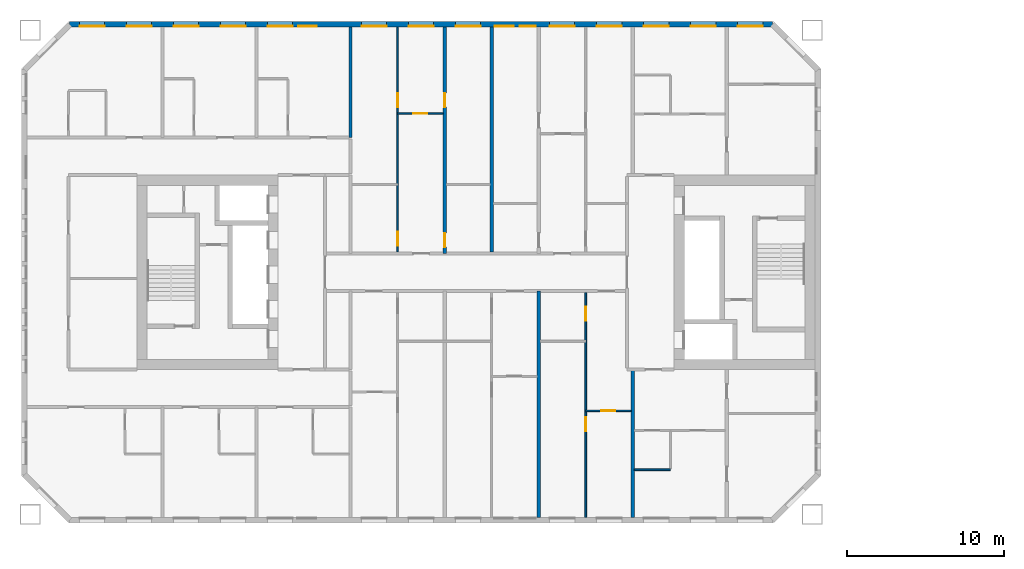
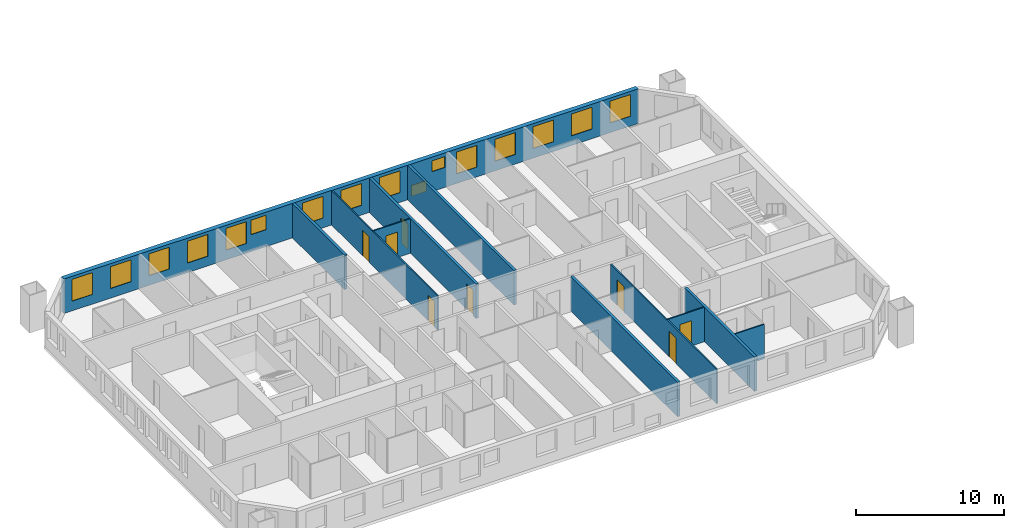
# One storey, part 6 of 17: 16 windows, 11 walls, 8 doors, 24 openings.
"""IFC4 building model written with IfcOpenShell, lengths in metres."""

from ifc_helpers import new_model, si_unit, direction, frame, frame_2d, origin, place, context, subcontext, project, spatial, rectangle, extrude, material, layer, layer_set, type_object, element, fill, save


model = new_model("IFC4")

# Units and contexts
model_context = context("Model", 3, precision=1e-05, world=origin(), true_north=direction((0.0, 1.0)))
body_context = subcontext(model_context, "Body", "Model", "MODEL_VIEW")
ifc_project = project(units=[si_unit("LENGTHUNIT", "METRE"), si_unit("AREAUNIT", "SQUARE_METRE"), si_unit("VOLUMEUNIT", "CUBIC_METRE"), si_unit("PLANEANGLEUNIT", "RADIAN"), si_unit("MASSUNIT", "GRAM", prefix="KILO")], contexts=[model_context])

# Site, building, storey
site_placement = place(None, origin())
site = spatial("IfcSite", under=ifc_project, at=site_placement, CompositionType="ELEMENT")
building_placement = place(site_placement, origin())
building = spatial("IfcBuilding", under=site, at=building_placement, Name="Tuart Gate Housing", CompositionType="ELEMENT")
storey_placement = place(building_placement, frame((0.0, 0.0, 108.800048828125)))
storey = spatial("IfcBuildingStorey", under=building, at=storey_placement, Name="L30", CompositionType="ELEMENT", Elevation=108.800048828125)

# Wall, openings, windows
ifc_material_1 = material(Name="Brick", Category="masonry")
ifc_layer_1 = layer(ifc_material_1, 0.360107421875)
ifc_layer_set_1 = layer_set([ifc_layer_1], Name="Brick pier and spandrel wall 360")
wall_type_1 = type_object("IfcWallType", Name="Brick pier and spandrel wall 360", PredefinedType="STANDARD", material=ifc_layer_set_1)
wall_1_placement = place(storey_placement, frame((72.92529296875, 85.820068359375, 0.0), z_axis=(0.0, 0.0, 1.0), x_axis=(-1.0, 0.0, 0.0)))
wall_1 = element("IfcWall", 1, at=wall_1_placement, inside=storey, type_object=wall_type_1, Name="External wall A-N L30", PredefinedType="STANDARD", context=body_context, shape_type="SweptSolid", body=[
    extrude(rectangle(XDim=44.850830078125, YDim=0.360107421875, at=frame_2d((22.42529296875, 0.0))), origin(), (0.0, 0.0, 1.0), 2.849853515625),
])
opening_1_placement = place(wall_1_placement, frame((0.62548828125, 0.0, 0.800048828125)))
opening_1 = element("IfcOpeningElement", 2, at=opening_1_placement, cuts=wall_1, Name="Opening W1", PredefinedType="OPENING", context=body_context, shape_type="SweptSolid", body=[
    extrude(rectangle(XDim=1.60009765625, YDim=1.800048828125, at=frame_2d((0.800048828125, 0.89990234375))), frame((0.0, 0.18994140625, 0.0), z_axis=(0.0, -1.0, 0.0), x_axis=(1.0, 0.0, 0.0)), (0.0, 0.0, 1.0), 0.380126953125),
])
opening_2_placement = place(wall_1_placement, frame((3.62548828125, 0.0, 0.800048828125)))
opening_2 = element("IfcOpeningElement", 3, at=opening_2_placement, cuts=wall_1, Name="Opening W1", PredefinedType="OPENING", context=body_context, shape_type="SweptSolid", body=[
    extrude(rectangle(XDim=1.60009765625, YDim=1.800048828125, at=frame_2d((0.800048828125, 0.89990234375))), frame((0.0, 0.18994140625, 0.0), z_axis=(0.0, -1.0, 0.0), x_axis=(1.0, 0.0, 0.0)), (0.0, 0.0, 1.0), 0.380126953125),
])
opening_3_placement = place(wall_1_placement, frame((6.62548828125, 0.0, 0.800048828125)))
opening_3 = element("IfcOpeningElement", 4, at=opening_3_placement, cuts=wall_1, Name="Opening W1", PredefinedType="OPENING", context=body_context, shape_type="SweptSolid", body=[
    extrude(rectangle(XDim=1.60009765625, YDim=1.800048828125, at=frame_2d((0.800048828125, 0.89990234375))), frame((0.0, 0.18994140625, 0.0), z_axis=(0.0, -1.0, 0.0), x_axis=(1.0, 0.0, 0.0)), (0.0, 0.0, 1.0), 0.380126953125),
])
opening_4_placement = place(wall_1_placement, frame((9.62548828125, 0.0, 0.800048828125)))
opening_4 = element("IfcOpeningElement", 5, at=opening_4_placement, cuts=wall_1, Name="Opening W1", PredefinedType="OPENING", context=body_context, shape_type="SweptSolid", body=[
    extrude(rectangle(XDim=1.60009765625, YDim=1.800048828125, at=frame_2d((0.800048828125, 0.89990234375))), frame((0.0, 0.18994140625, 0.0), z_axis=(0.0, -1.0, 0.0), x_axis=(1.0, 0.0, 0.0)), (0.0, 0.0, 1.0), 0.380126953125),
])
opening_5_placement = place(wall_1_placement, frame((12.62548828125, 0.0, 0.800048828125)))
opening_5 = element("IfcOpeningElement", 6, at=opening_5_placement, cuts=wall_1, Name="Opening W1", PredefinedType="OPENING", context=body_context, shape_type="SweptSolid", body=[
    extrude(rectangle(XDim=1.60009765625, YDim=1.800048828125, at=frame_2d((0.800048828125, 0.89990234375))), frame((0.0, 0.18994140625, 0.0), z_axis=(0.0, -1.0, 0.0), x_axis=(1.0, 0.0, 0.0)), (0.0, 0.0, 1.0), 0.380126953125),
])
opening_6_placement = place(wall_1_placement, frame((15.12548828125, 0.0, 1.64990234375)))
opening_6 = element("IfcOpeningElement", 7, at=opening_6_placement, cuts=wall_1, Name="Opening W1U", PredefinedType="OPENING", context=body_context, shape_type="SweptSolid", body=[
    extrude(rectangle(XDim=1.0, YDim=0.89990234375, at=frame_2d((0.5, 0.449951171875))), frame((0.0, 0.18994140625, 0.0), z_axis=(0.0, -1.0, 0.0), x_axis=(1.0, 0.0, 0.0)), (0.0, 0.0, 1.0), 0.380126953125),
])
opening_7_placement = place(wall_1_placement, frame((18.62548828125, 0.0, 0.800048828125)))
opening_7 = element("IfcOpeningElement", 8, at=opening_7_placement, cuts=wall_1, Name="Opening W1", PredefinedType="OPENING", context=body_context, shape_type="SweptSolid", body=[
    extrude(rectangle(XDim=1.60009765625, YDim=1.800048828125, at=frame_2d((0.800048828125, 0.89990234375))), frame((0.0, 0.18994140625, 0.0), z_axis=(0.0, -1.0, 0.0), x_axis=(1.0, 0.0, 0.0)), (0.0, 0.0, 1.0), 0.380126953125),
])
opening_8_placement = place(wall_1_placement, frame((21.62548828125, 0.0, 0.800048828125)))
opening_8 = element("IfcOpeningElement", 9, at=opening_8_placement, cuts=wall_1, Name="Opening W1", PredefinedType="OPENING", context=body_context, shape_type="SweptSolid", body=[
    extrude(rectangle(XDim=1.60009765625, YDim=1.800048828125, at=frame_2d((0.800048828125, 0.89990234375))), frame((0.0, 0.18994140625, 0.0), z_axis=(0.0, -1.0, 0.0), x_axis=(1.0, 0.0, 0.0)), (0.0, 0.0, 1.0), 0.380126953125),
])
opening_9_placement = place(wall_1_placement, frame((24.62548828125, 0.0, 0.800048828125)))
opening_9 = element("IfcOpeningElement", 10, at=opening_9_placement, cuts=wall_1, Name="Opening W1", PredefinedType="OPENING", context=body_context, shape_type="SweptSolid", body=[
    extrude(rectangle(XDim=1.60009765625, YDim=1.800048828125, at=frame_2d((0.800048828125, 0.89990234375))), frame((0.0, 0.18994140625, 0.0), z_axis=(0.0, -1.0, 0.0), x_axis=(1.0, 0.0, 0.0)), (0.0, 0.0, 1.0), 0.380126953125),
])
opening_10_placement = place(wall_1_placement, frame((29.075439453125, 0.0, 1.39990234375)))
opening_10 = element("IfcOpeningElement", 11, at=opening_10_placement, cuts=wall_1, Name="Opening W1N", PredefinedType="OPENING", context=body_context, shape_type="SweptSolid", body=[
    extrude(rectangle(XDim=1.199951171875, YDim=1.199951171875, at=frame_2d((0.60009765625, 0.60009765625))), frame((0.0, 0.18994140625, 0.0), z_axis=(0.0, -1.0, 0.0), x_axis=(1.0, 0.0, 0.0)), (0.0, 0.0, 1.0), 0.380126953125),
])
opening_11_placement = place(wall_1_placement, frame((30.62548828125, 0.0, 0.800048828125)))
opening_11 = element("IfcOpeningElement", 12, at=opening_11_placement, cuts=wall_1, Name="Opening W1", PredefinedType="OPENING", context=body_context, shape_type="SweptSolid", body=[
    extrude(rectangle(XDim=1.60009765625, YDim=1.800048828125, at=frame_2d((0.800048828125, 0.89990234375))), frame((0.0, 0.18994140625, 0.0), z_axis=(0.0, -1.0, 0.0), x_axis=(1.0, 0.0, 0.0)), (0.0, 0.0, 1.0), 0.380126953125),
])
opening_12_placement = place(wall_1_placement, frame((33.62548828125, 0.0, 0.800048828125)))
opening_12 = element("IfcOpeningElement", 13, at=opening_12_placement, cuts=wall_1, Name="Opening W1", PredefinedType="OPENING", context=body_context, shape_type="SweptSolid", body=[
    extrude(rectangle(XDim=1.60009765625, YDim=1.800048828125, at=frame_2d((0.800048828125, 0.89990234375))), frame((0.0, 0.18994140625, 0.0), z_axis=(0.0, -1.0, 0.0), x_axis=(1.0, 0.0, 0.0)), (0.0, 0.0, 1.0), 0.380126953125),
])
opening_13_placement = place(wall_1_placement, frame((36.62548828125, 0.0, 0.800048828125)))
opening_13 = element("IfcOpeningElement", 14, at=opening_13_placement, cuts=wall_1, Name="Opening W1", PredefinedType="OPENING", context=body_context, shape_type="SweptSolid", body=[
    extrude(rectangle(XDim=1.60009765625, YDim=1.800048828125, at=frame_2d((0.800048828125, 0.89990234375))), frame((0.0, 0.18994140625, 0.0), z_axis=(0.0, -1.0, 0.0), x_axis=(1.0, 0.0, 0.0)), (0.0, 0.0, 1.0), 0.380126953125),
])
opening_14_placement = place(wall_1_placement, frame((39.62548828125, 0.0, 0.800048828125)))
opening_14 = element("IfcOpeningElement", 15, at=opening_14_placement, cuts=wall_1, Name="Opening W1", PredefinedType="OPENING", context=body_context, shape_type="SweptSolid", body=[
    extrude(rectangle(XDim=1.60009765625, YDim=1.800048828125, at=frame_2d((0.800048828125, 0.89990234375))), frame((0.0, 0.18994140625, 0.0), z_axis=(0.0, -1.0, 0.0), x_axis=(1.0, 0.0, 0.0)), (0.0, 0.0, 1.0), 0.380126953125),
])
opening_15_placement = place(wall_1_placement, frame((42.62548828125, 0.0, 0.800048828125)))
opening_15 = element("IfcOpeningElement", 16, at=opening_15_placement, cuts=wall_1, Name="Opening W1", PredefinedType="OPENING", context=body_context, shape_type="SweptSolid", body=[
    extrude(rectangle(XDim=1.60009765625, YDim=1.800048828125, at=frame_2d((0.800048828125, 0.89990234375))), frame((0.0, 0.18994140625, 0.0), z_axis=(0.0, -1.0, 0.0), x_axis=(1.0, 0.0, 0.0)), (0.0, 0.0, 1.0), 0.380126953125),
])
opening_16_placement = place(wall_1_placement, frame((16.525390625, 0.0, 0.14990234375)))
opening_16 = element("IfcOpeningElement", 17, at=opening_16_placement, cuts=wall_1, Name="Opening W1T", PredefinedType="OPENING", context=body_context, shape_type="SweptSolid", body=[
    extrude(rectangle(XDim=1.199951171875, YDim=0.89990234375, at=frame_2d((0.60009765625, 0.449951171875))), frame((0.0, 0.18994140625, 0.0), z_axis=(0.0, -1.0, 0.0), x_axis=(1.0, 0.0, 0.0)), (0.0, 0.0, 1.0), 0.380126953125),
])
ifc_material_2 = material(Name="Aluminium frame with clear glass", Category="aluminium")
window_type_1 = type_object("IfcWindowType", Name="Punched window 1000 x 900", PartitioningType="SINGLE_PANEL", PredefinedType="WINDOW", material=ifc_material_2)
window_1_placement = place(opening_6_placement, origin())
window_1 = element("IfcWindow", 18, at=window_1_placement, inside=storey, type_object=window_type_1, Name="Window W1U", OverallHeight=0.89990234375, OverallWidth=1.0, PartitioningType="SINGLE_PANEL", PredefinedType="WINDOW", context=body_context, shape_type="SweptSolid", body=[
    extrude(rectangle(XDim=1.0, YDim=0.89990234375, at=frame_2d((0.5, 0.449951171875))), frame((0.0, 0.150146484375, 0.0), z_axis=(0.0, -1.0, 0.0), x_axis=(1.0, 0.0, 0.0)), (0.0, 0.0, 1.0), 0.06005859375),
])
fill(opening_6, window_1)
ifc_material_3 = material(Name="Aluminium frame with clear glass", Category="aluminium")
window_type_2 = type_object("IfcWindowType", Name="Punched window 1200 x 1200", PartitioningType="SINGLE_PANEL", PredefinedType="WINDOW", material=ifc_material_3)
window_2_placement = place(opening_10_placement, origin())
window_2 = element("IfcWindow", 19, at=window_2_placement, inside=storey, type_object=window_type_2, Name="Window W1N", OverallHeight=1.199951171875, OverallWidth=1.199951171875, PartitioningType="SINGLE_PANEL", PredefinedType="WINDOW", context=body_context, shape_type="SweptSolid", body=[
    extrude(rectangle(XDim=1.199951171875, YDim=1.199951171875, at=frame_2d((0.60009765625, 0.60009765625))), frame((0.0, 0.150146484375, 0.0), z_axis=(0.0, -1.0, 0.0), x_axis=(1.0, 0.0, 0.0)), (0.0, 0.0, 1.0), 0.06005859375),
])
fill(opening_10, window_2)
ifc_material_4 = material(Name="Aluminium frame with clear glass", Category="aluminium")
window_type_3 = type_object("IfcWindowType", Name="Punched window 1200 x 900", PartitioningType="SINGLE_PANEL", PredefinedType="WINDOW", material=ifc_material_4)
window_3_placement = place(opening_16_placement, origin())
window_3 = element("IfcWindow", 20, at=window_3_placement, inside=storey, type_object=window_type_3, Name="Window W1T", OverallHeight=0.89990234375, OverallWidth=1.199951171875, PartitioningType="SINGLE_PANEL", PredefinedType="WINDOW", context=body_context, shape_type="SweptSolid", body=[
    extrude(rectangle(XDim=1.199951171875, YDim=0.89990234375, at=frame_2d((0.60009765625, 0.449951171875))), frame((0.0, 0.150146484375, 0.0), z_axis=(0.0, -1.0, 0.0), x_axis=(1.0, 0.0, 0.0)), (0.0, 0.0, 1.0), 0.06005859375),
])
fill(opening_16, window_3)
ifc_material_5 = material(Name="Aluminium frame with clear glass", Category="aluminium")
window_type_4 = type_object("IfcWindowType", Name="Punched window 1600 x 1800", PartitioningType="SINGLE_PANEL", PredefinedType="WINDOW", material=ifc_material_5)
window_4_placement = place(opening_1_placement, origin())
window_4 = element("IfcWindow", 21, at=window_4_placement, inside=storey, type_object=window_type_4, Name="Window W1", OverallHeight=1.800048828125, OverallWidth=1.60009765625, PartitioningType="SINGLE_PANEL", PredefinedType="WINDOW", context=body_context, shape_type="SweptSolid", body=[
    extrude(rectangle(XDim=1.60009765625, YDim=1.800048828125, at=frame_2d((0.800048828125, 0.89990234375))), frame((0.0, 0.150146484375, 0.0), z_axis=(0.0, -1.0, 0.0), x_axis=(1.0, 0.0, 0.0)), (0.0, 0.0, 1.0), 0.06005859375),
])
fill(opening_1, window_4)
window_5_placement = place(opening_2_placement, origin())
window_5 = element("IfcWindow", 22, at=window_5_placement, inside=storey, type_object=window_type_4, Name="Window W1", OverallHeight=1.800048828125, OverallWidth=1.60009765625, PartitioningType="SINGLE_PANEL", PredefinedType="WINDOW", context=body_context, shape_type="SweptSolid", body=[
    extrude(rectangle(XDim=1.60009765625, YDim=1.800048828125, at=frame_2d((0.800048828125, 0.89990234375))), frame((0.0, 0.150146484375, 0.0), z_axis=(0.0, -1.0, 0.0), x_axis=(1.0, 0.0, 0.0)), (0.0, 0.0, 1.0), 0.06005859375),
])
fill(opening_2, window_5)
window_6_placement = place(opening_3_placement, origin())
window_6 = element("IfcWindow", 23, at=window_6_placement, inside=storey, type_object=window_type_4, Name="Window W1", OverallHeight=1.800048828125, OverallWidth=1.60009765625, PartitioningType="SINGLE_PANEL", PredefinedType="WINDOW", context=body_context, shape_type="SweptSolid", body=[
    extrude(rectangle(XDim=1.60009765625, YDim=1.800048828125, at=frame_2d((0.800048828125, 0.89990234375))), frame((0.0, 0.150146484375, 0.0), z_axis=(0.0, -1.0, 0.0), x_axis=(1.0, 0.0, 0.0)), (0.0, 0.0, 1.0), 0.06005859375),
])
fill(opening_3, window_6)
window_7_placement = place(opening_4_placement, origin())
window_7 = element("IfcWindow", 24, at=window_7_placement, inside=storey, type_object=window_type_4, Name="Window W1", OverallHeight=1.800048828125, OverallWidth=1.60009765625, PartitioningType="SINGLE_PANEL", PredefinedType="WINDOW", context=body_context, shape_type="SweptSolid", body=[
    extrude(rectangle(XDim=1.60009765625, YDim=1.800048828125, at=frame_2d((0.800048828125, 0.89990234375))), frame((0.0, 0.150146484375, 0.0), z_axis=(0.0, -1.0, 0.0), x_axis=(1.0, 0.0, 0.0)), (0.0, 0.0, 1.0), 0.06005859375),
])
fill(opening_4, window_7)
window_8_placement = place(opening_5_placement, origin())
window_8 = element("IfcWindow", 25, at=window_8_placement, inside=storey, type_object=window_type_4, Name="Window W1", OverallHeight=1.800048828125, OverallWidth=1.60009765625, PartitioningType="SINGLE_PANEL", PredefinedType="WINDOW", context=body_context, shape_type="SweptSolid", body=[
    extrude(rectangle(XDim=1.60009765625, YDim=1.800048828125, at=frame_2d((0.800048828125, 0.89990234375))), frame((0.0, 0.150146484375, 0.0), z_axis=(0.0, -1.0, 0.0), x_axis=(1.0, 0.0, 0.0)), (0.0, 0.0, 1.0), 0.06005859375),
])
fill(opening_5, window_8)
window_9_placement = place(opening_7_placement, origin())
window_9 = element("IfcWindow", 26, at=window_9_placement, inside=storey, type_object=window_type_4, Name="Window W1", OverallHeight=1.800048828125, OverallWidth=1.60009765625, PartitioningType="SINGLE_PANEL", PredefinedType="WINDOW", context=body_context, shape_type="SweptSolid", body=[
    extrude(rectangle(XDim=1.60009765625, YDim=1.800048828125, at=frame_2d((0.800048828125, 0.89990234375))), frame((0.0, 0.150146484375, 0.0), z_axis=(0.0, -1.0, 0.0), x_axis=(1.0, 0.0, 0.0)), (0.0, 0.0, 1.0), 0.06005859375),
])
fill(opening_7, window_9)
window_10_placement = place(opening_8_placement, origin())
window_10 = element("IfcWindow", 27, at=window_10_placement, inside=storey, type_object=window_type_4, Name="Window W1", OverallHeight=1.800048828125, OverallWidth=1.60009765625, PartitioningType="SINGLE_PANEL", PredefinedType="WINDOW", context=body_context, shape_type="SweptSolid", body=[
    extrude(rectangle(XDim=1.60009765625, YDim=1.800048828125, at=frame_2d((0.800048828125, 0.89990234375))), frame((0.0, 0.150146484375, 0.0), z_axis=(0.0, -1.0, 0.0), x_axis=(1.0, 0.0, 0.0)), (0.0, 0.0, 1.0), 0.06005859375),
])
fill(opening_8, window_10)
window_11_placement = place(opening_9_placement, origin())
window_11 = element("IfcWindow", 28, at=window_11_placement, inside=storey, type_object=window_type_4, Name="Window W1", OverallHeight=1.800048828125, OverallWidth=1.60009765625, PartitioningType="SINGLE_PANEL", PredefinedType="WINDOW", context=body_context, shape_type="SweptSolid", body=[
    extrude(rectangle(XDim=1.60009765625, YDim=1.800048828125, at=frame_2d((0.800048828125, 0.89990234375))), frame((0.0, 0.150146484375, 0.0), z_axis=(0.0, -1.0, 0.0), x_axis=(1.0, 0.0, 0.0)), (0.0, 0.0, 1.0), 0.06005859375),
])
fill(opening_9, window_11)
window_12_placement = place(opening_11_placement, origin())
window_12 = element("IfcWindow", 29, at=window_12_placement, inside=storey, type_object=window_type_4, Name="Window W1", OverallHeight=1.800048828125, OverallWidth=1.60009765625, PartitioningType="SINGLE_PANEL", PredefinedType="WINDOW", context=body_context, shape_type="SweptSolid", body=[
    extrude(rectangle(XDim=1.60009765625, YDim=1.800048828125, at=frame_2d((0.800048828125, 0.89990234375))), frame((0.0, 0.150146484375, 0.0), z_axis=(0.0, -1.0, 0.0), x_axis=(1.0, 0.0, 0.0)), (0.0, 0.0, 1.0), 0.06005859375),
])
fill(opening_11, window_12)
window_13_placement = place(opening_12_placement, origin())
window_13 = element("IfcWindow", 30, at=window_13_placement, inside=storey, type_object=window_type_4, Name="Window W1", OverallHeight=1.800048828125, OverallWidth=1.60009765625, PartitioningType="SINGLE_PANEL", PredefinedType="WINDOW", context=body_context, shape_type="SweptSolid", body=[
    extrude(rectangle(XDim=1.60009765625, YDim=1.800048828125, at=frame_2d((0.800048828125, 0.89990234375))), frame((0.0, 0.150146484375, 0.0), z_axis=(0.0, -1.0, 0.0), x_axis=(1.0, 0.0, 0.0)), (0.0, 0.0, 1.0), 0.06005859375),
])
fill(opening_12, window_13)
window_14_placement = place(opening_13_placement, origin())
window_14 = element("IfcWindow", 31, at=window_14_placement, inside=storey, type_object=window_type_4, Name="Window W1", OverallHeight=1.800048828125, OverallWidth=1.60009765625, PartitioningType="SINGLE_PANEL", PredefinedType="WINDOW", context=body_context, shape_type="SweptSolid", body=[
    extrude(rectangle(XDim=1.60009765625, YDim=1.800048828125, at=frame_2d((0.800048828125, 0.89990234375))), frame((0.0, 0.150146484375, 0.0), z_axis=(0.0, -1.0, 0.0), x_axis=(1.0, 0.0, 0.0)), (0.0, 0.0, 1.0), 0.06005859375),
])
fill(opening_13, window_14)
window_15_placement = place(opening_14_placement, origin())
window_15 = element("IfcWindow", 32, at=window_15_placement, inside=storey, type_object=window_type_4, Name="Window W1", OverallHeight=1.800048828125, OverallWidth=1.60009765625, PartitioningType="SINGLE_PANEL", PredefinedType="WINDOW", context=body_context, shape_type="SweptSolid", body=[
    extrude(rectangle(XDim=1.60009765625, YDim=1.800048828125, at=frame_2d((0.800048828125, 0.89990234375))), frame((0.0, 0.150146484375, 0.0), z_axis=(0.0, -1.0, 0.0), x_axis=(1.0, 0.0, 0.0)), (0.0, 0.0, 1.0), 0.06005859375),
])
fill(opening_14, window_15)
window_16_placement = place(opening_15_placement, origin())
window_16 = element("IfcWindow", 33, at=window_16_placement, inside=storey, type_object=window_type_4, Name="Window W1", OverallHeight=1.800048828125, OverallWidth=1.60009765625, PartitioningType="SINGLE_PANEL", PredefinedType="WINDOW", context=body_context, shape_type="SweptSolid", body=[
    extrude(rectangle(XDim=1.60009765625, YDim=1.800048828125, at=frame_2d((0.800048828125, 0.89990234375))), frame((0.0, 0.150146484375, 0.0), z_axis=(0.0, -1.0, 0.0), x_axis=(1.0, 0.0, 0.0)), (0.0, 0.0, 1.0), 0.06005859375),
])
fill(opening_15, window_16)

# Wall
ifc_material_6 = material(Name="Gypsum board on steel studs", Category="steel")
ifc_layer_2 = layer(ifc_material_6, 0.10009765625)
ifc_layer_set_2 = layer_set([ifc_layer_2], Name="Partition 100")
wall_type_2 = type_object("IfcWallType", Name="Partition 100", PredefinedType="PARTITIONING", material=ifc_layer_set_2)
wall_2_placement = place(storey_placement, frame((64.10009765625, 57.39990234375, 0.0), z_axis=(0.0, 0.0, 1.0), x_axis=(1.0, 0.0, 0.0)))
element("IfcWall", 34, at=wall_2_placement, inside=storey, type_object=wall_type_2, Name="Partition 100", PredefinedType="PARTITIONING", context=body_context, shape_type="SweptSolid", body=[
    extrude(rectangle(XDim=2.2998046875, YDim=0.10009765625, at=frame_2d((1.14990234375, 0.0))), origin(), (0.0, 0.0, 1.0), 2.849853515625),
])

# Wall, opening, door
wall_3_placement = place(storey_placement, frame((61.0, 61.159912109375, 0.0), z_axis=(0.0, 0.0, 1.0), x_axis=(1.0, 0.0, 0.0)))
wall_3 = element("IfcWall", 35, at=wall_3_placement, inside=storey, type_object=wall_type_2, Name="Partition 100", PredefinedType="PARTITIONING", context=body_context, shape_type="SweptSolid", body=[
    extrude(rectangle(XDim=2.89990234375, YDim=0.10009765625, at=frame_2d((1.449951171875, 0.0))), origin(), (0.0, 0.0, 1.0), 2.849853515625),
])
opening_17_placement = place(wall_3_placement, frame((1.0, 0.0, 0.0)))
opening_17 = element("IfcOpeningElement", 36, at=opening_17_placement, cuts=wall_3, Name="Opening D1229", PredefinedType="OPENING", context=body_context, shape_type="SweptSolid", body=[
    extrude(rectangle(XDim=0.89990234375, YDim=2.10009765625, at=frame_2d((0.449951171875, 1.050048828125))), frame((0.0, 0.06005859375, 0.0), z_axis=(0.0, -1.0, 0.0), x_axis=(1.0, 0.0, 0.0)), (0.0, 0.0, 1.0), 0.1201171875),
])
ifc_material_7 = material(Name="Timber door leaf in steel frame", Category="steel")
door_type_1 = type_object("IfcDoorType", Name="Internal door 900", OperationType="SINGLE_SWING_LEFT", PredefinedType="DOOR", material=ifc_material_7)
door_1_placement = place(opening_17_placement, origin())
door_1 = element("IfcDoor", 37, at=door_1_placement, inside=storey, type_object=door_type_1, Name="Internal door", OperationType="SINGLE_SWING_LEFT", OverallHeight=2.10009765625, OverallWidth=0.89990234375, PredefinedType="DOOR", context=body_context, shape_type="SweptSolid", body=[
    extrude(rectangle(XDim=0.89990234375, YDim=2.10009765625, at=frame_2d((0.449951171875, 1.050048828125))), frame((0.0, 0.02490234375, 0.0), z_axis=(0.0, -1.0, 0.0), x_axis=(1.0, 0.0, 0.0)), (0.0, 0.0, 1.0), 0.050048828125),
])
fill(opening_17, door_1)

wall_4_placement = place(storey_placement, frame((49.0, 80.139892578125, 0.0), z_axis=(0.0, 0.0, 1.0), x_axis=(1.0, 0.0, 0.0)))
wall_4 = element("IfcWall", 38, at=wall_4_placement, inside=storey, type_object=wall_type_2, Name="Partition 100", PredefinedType="PARTITIONING", context=body_context, shape_type="SweptSolid", body=[
    extrude(rectangle(XDim=2.89990234375, YDim=0.10009765625, at=frame_2d((1.449951171875, 0.0))), origin(), (0.0, 0.0, 1.0), 2.849853515625),
])
opening_18_placement = place(wall_4_placement, frame((1.0, 0.0, 0.0)))
opening_18 = element("IfcOpeningElement", 39, at=opening_18_placement, cuts=wall_4, Name="Opening D1182", PredefinedType="OPENING", context=body_context, shape_type="SweptSolid", body=[
    extrude(rectangle(XDim=0.89990234375, YDim=2.10009765625, at=frame_2d((0.449951171875, 1.050048828125))), frame((0.0, 0.06005859375, 0.0), z_axis=(0.0, -1.0, 0.0), x_axis=(1.0, 0.0, 0.0)), (0.0, 0.0, 1.0), 0.1201171875),
])
ifc_material_8 = material(Name="Timber door leaf in steel frame", Category="steel")
door_type_2 = type_object("IfcDoorType", Name="Internal door 900 RH", OperationType="SINGLE_SWING_RIGHT", PredefinedType="DOOR", material=ifc_material_8)
door_2_placement = place(opening_18_placement, frame((0.89990234375, 0.0, 0.0), z_axis=(0.0, 0.0, 1.0), x_axis=(-1.0, 0.0, 0.0)))
door_2 = element("IfcDoor", 40, at=door_2_placement, inside=storey, type_object=door_type_2, Name="Internal door", OperationType="SINGLE_SWING_RIGHT", OverallHeight=2.10009765625, OverallWidth=0.89990234375, PredefinedType="DOOR", context=body_context, shape_type="SweptSolid", body=[
    extrude(rectangle(XDim=0.89990234375, YDim=2.10009765625, at=frame_2d((0.449951171875, 1.050048828125))), frame((0.0, 0.025146484375, 0.0), z_axis=(0.0, -1.0, 0.0), x_axis=(1.0, 0.0, 0.0)), (0.0, 0.0, 1.0), 0.050048828125),
])
fill(opening_18, door_2)

# Wall, openings, doors
wall_5_placement = place(storey_placement, frame((49.0, 71.300048828125, 0.0), z_axis=(0.0, 0.0, 1.0), x_axis=(0.0, 1.0, 0.0)))
wall_5 = element("IfcWall", 41, at=wall_5_placement, inside=storey, type_object=wall_type_2, Name="Partition 100", PredefinedType="PARTITIONING", context=body_context, shape_type="SweptSolid", body=[
    extrude(rectangle(XDim=14.33984375, YDim=0.10009765625, at=frame_2d((7.169921875, 0.0))), origin(), (0.0, 0.0, 1.0), 2.849853515625),
])
opening_19_placement = place(wall_5_placement, frame((9.239990234375, 0.0, 0.0)))
opening_19 = element("IfcOpeningElement", 42, at=opening_19_placement, cuts=wall_5, Name="Opening D1191", PredefinedType="OPENING", context=body_context, shape_type="SweptSolid", body=[
    extrude(rectangle(XDim=0.89990234375, YDim=2.10009765625, at=frame_2d((0.449951171875, 1.050048828125))), frame((0.0, 0.06005859375, 0.0), z_axis=(0.0, -1.0, 0.0), x_axis=(1.0, 0.0, 0.0)), (0.0, 0.0, 1.0), 0.1201171875),
])
opening_20_placement = place(wall_5_placement, frame((0.39990234375, 0.0, 0.0)))
opening_20 = element("IfcOpeningElement", 43, at=opening_20_placement, cuts=wall_5, Name="Opening D1190", PredefinedType="OPENING", context=body_context, shape_type="SweptSolid", body=[
    extrude(rectangle(XDim=0.89990234375, YDim=2.10009765625, at=frame_2d((0.449951171875, 1.050048828125))), frame((0.0, 0.06005859375, 0.0), z_axis=(0.0, -1.0, 0.0), x_axis=(1.0, 0.0, 0.0)), (0.0, 0.0, 1.0), 0.1201171875),
])
ifc_material_9 = material(Name="Timber door leaf in steel frame", Category="steel")
door_type_3 = type_object("IfcDoorType", Name="Bathroom door 900", OperationType="SINGLE_SWING_LEFT", PredefinedType="DOOR", material=ifc_material_9)
door_3_placement = place(opening_20_placement, origin())
door_3 = element("IfcDoor", 44, at=door_3_placement, inside=storey, type_object=door_type_3, Name="Bathroom door", OperationType="SINGLE_SWING_LEFT", OverallHeight=2.10009765625, OverallWidth=0.89990234375, PredefinedType="DOOR", context=body_context, shape_type="SweptSolid", body=[
    extrude(rectangle(XDim=0.89990234375, YDim=2.10009765625, at=frame_2d((0.449951171875, 1.050048828125))), frame((0.0, 0.02490234375, 0.0), z_axis=(0.0, -1.0, 0.0), x_axis=(1.0, 0.0, 0.0)), (0.0, 0.0, 1.0), 0.050048828125),
])
fill(opening_20, door_3)
door_4_placement = place(opening_19_placement, origin())
door_4 = element("IfcDoor", 45, at=door_4_placement, inside=storey, type_object=door_type_2, Name="Internal door", OperationType="SINGLE_SWING_RIGHT", OverallHeight=2.10009765625, OverallWidth=0.89990234375, PredefinedType="DOOR", context=body_context, shape_type="SweptSolid", body=[
    extrude(rectangle(XDim=0.89990234375, YDim=2.10009765625, at=frame_2d((0.449951171875, 1.050048828125))), frame((0.0, 0.02490234375, 0.0), z_axis=(0.0, -1.0, 0.0), x_axis=(1.0, 0.0, 0.0)), (0.0, 0.0, 1.0), 0.050048828125),
])
fill(opening_19, door_4)

wall_6_placement = place(storey_placement, frame((61.0, 54.360107421875, 0.0), z_axis=(0.0, 0.0, 1.0), x_axis=(0.0, 1.0, 0.0)))
wall_6 = element("IfcWall", 46, at=wall_6_placement, inside=storey, type_object=wall_type_2, Name="Partition 100", PredefinedType="PARTITIONING", context=body_context, shape_type="SweptSolid", body=[
    extrude(rectangle(XDim=14.33984375, YDim=0.10009765625, at=frame_2d((7.169921875, 0.0))), origin(), (0.0, 0.0, 1.0), 2.849853515625),
])
opening_21_placement = place(wall_6_placement, frame((5.5, 0.0, 0.0)))
opening_21 = element("IfcOpeningElement", 47, at=opening_21_placement, cuts=wall_6, Name="Opening D1225", PredefinedType="OPENING", context=body_context, shape_type="SweptSolid", body=[
    extrude(rectangle(XDim=0.89990234375, YDim=2.10009765625, at=frame_2d((0.449951171875, 1.050048828125))), frame((0.0, 0.06005859375, 0.0), z_axis=(0.0, -1.0, 0.0), x_axis=(1.0, 0.0, 0.0)), (0.0, 0.0, 1.0), 0.1201171875),
])
opening_22_placement = place(wall_6_placement, frame((12.5400390625, 0.0, 0.0)))
opening_22 = element("IfcOpeningElement", 48, at=opening_22_placement, cuts=wall_6, Name="Opening D1224", PredefinedType="OPENING", context=body_context, shape_type="SweptSolid", body=[
    extrude(rectangle(XDim=0.89990234375, YDim=2.10009765625, at=frame_2d((0.449951171875, 1.050048828125))), frame((0.0, 0.06005859375, 0.0), z_axis=(0.0, -1.0, 0.0), x_axis=(1.0, 0.0, 0.0)), (0.0, 0.0, 1.0), 0.1201171875),
])
ifc_material_10 = material(Name="Timber door leaf in steel frame", Category="steel")
door_type_4 = type_object("IfcDoorType", Name="Bathroom door 900 RH", OperationType="SINGLE_SWING_RIGHT", PredefinedType="DOOR", material=ifc_material_10)
door_5_placement = place(opening_22_placement, origin())
door_5 = element("IfcDoor", 49, at=door_5_placement, inside=storey, type_object=door_type_4, Name="Bathroom door", OperationType="SINGLE_SWING_RIGHT", OverallHeight=2.10009765625, OverallWidth=0.89990234375, PredefinedType="DOOR", context=body_context, shape_type="SweptSolid", body=[
    extrude(rectangle(XDim=0.89990234375, YDim=2.10009765625, at=frame_2d((0.449951171875, 1.050048828125))), frame((0.0, 0.02490234375, 0.0), z_axis=(0.0, -1.0, 0.0), x_axis=(1.0, 0.0, 0.0)), (0.0, 0.0, 1.0), 0.050048828125),
])
fill(opening_22, door_5)
door_6_placement = place(opening_21_placement, origin())
door_6 = element("IfcDoor", 50, at=door_6_placement, inside=storey, type_object=door_type_2, Name="Internal door", OperationType="SINGLE_SWING_RIGHT", OverallHeight=2.10009765625, OverallWidth=0.89990234375, PredefinedType="DOOR", context=body_context, shape_type="SweptSolid", body=[
    extrude(rectangle(XDim=0.89990234375, YDim=2.10009765625, at=frame_2d((0.449951171875, 1.050048828125))), frame((0.0, 0.02490234375, 0.0), z_axis=(0.0, -1.0, 0.0), x_axis=(1.0, 0.0, 0.0)), (0.0, 0.0, 1.0), 0.050048828125),
])
fill(opening_21, door_6)

# Wall
ifc_material_11 = material(Name="Concrete C40", Category="concrete")
ifc_layer_3 = layer(ifc_material_11, 0.199951171875)
ifc_layer_set_3 = layer_set([ifc_layer_3], Name="Party wall concrete C40 200")
wall_type_3 = type_object("IfcWallType", Name="Party wall concrete C40 200", PredefinedType="SOLIDWALL", material=ifc_layer_set_3)
wall_7_placement = place(storey_placement, frame((46.0, 78.60009765625, 0.0), z_axis=(0.0, 0.0, 1.0), x_axis=(0.0, 1.0, 0.0)))
element("IfcWall", 51, at=wall_7_placement, inside=storey, type_object=wall_type_3, Name="Party wall concrete C40 200", PredefinedType="SOLIDWALL", context=body_context, shape_type="SweptSolid", body=[
    extrude(rectangle(XDim=7.039794921875, YDim=0.199951171875, at=frame_2d((3.52001953125, 0.0))), origin(), (0.0, 0.0, 1.0), 2.849853515625),
])

# Wall, openings, doors
wall_8_placement = place(storey_placement, frame((52.0, 71.199951171875, 0.0), z_axis=(0.0, 0.0, 1.0), x_axis=(0.0, 1.0, 0.0)))
wall_8 = element("IfcWall", 52, at=wall_8_placement, inside=storey, type_object=wall_type_3, Name="Party wall concrete C40 200", PredefinedType="SOLIDWALL", context=body_context, shape_type="SweptSolid", body=[
    extrude(rectangle(XDim=14.43994140625, YDim=0.199951171875, at=frame_2d((7.219970703125, 0.0))), origin(), (0.0, 0.0, 1.0), 2.849853515625),
])
opening_23_placement = place(wall_8_placement, frame((9.340087890625, 0.0, 0.0)))
opening_23 = element("IfcOpeningElement", 53, at=opening_23_placement, cuts=wall_8, Name="Opening D1195", PredefinedType="OPENING", context=body_context, shape_type="SweptSolid", body=[
    extrude(rectangle(XDim=0.89990234375, YDim=2.10009765625, at=frame_2d((0.449951171875, 1.050048828125))), frame((0.0, 0.10986328125, 0.0), z_axis=(0.0, -1.0, 0.0), x_axis=(1.0, 0.0, 0.0)), (0.0, 0.0, 1.0), 0.219970703125),
])
opening_24_placement = place(wall_8_placement, frame((0.39990234375, 0.0, 0.0)))
opening_24 = element("IfcOpeningElement", 54, at=opening_24_placement, cuts=wall_8, Name="Opening D1194", PredefinedType="OPENING", context=body_context, shape_type="SweptSolid", body=[
    extrude(rectangle(XDim=0.89990234375, YDim=2.10009765625, at=frame_2d((0.449951171875, 1.050048828125))), frame((0.0, 0.10986328125, 0.0), z_axis=(0.0, -1.0, 0.0), x_axis=(1.0, 0.0, 0.0)), (0.0, 0.0, 1.0), 0.219970703125),
])
door_7_placement = place(opening_24_placement, frame((0.89990234375, 0.0, 0.0), z_axis=(0.0, 0.0, 1.0), x_axis=(-1.0, 0.0, 0.0)))
door_7 = element("IfcDoor", 55, at=door_7_placement, inside=storey, type_object=door_type_4, Name="Bathroom door", OperationType="SINGLE_SWING_RIGHT", OverallHeight=2.10009765625, OverallWidth=0.89990234375, PredefinedType="DOOR", context=body_context, shape_type="SweptSolid", body=[
    extrude(rectangle(XDim=0.89990234375, YDim=2.10009765625, at=frame_2d((0.449951171875, 1.050048828125))), frame((0.0, 0.025146484375, 0.0), z_axis=(0.0, -1.0, 0.0), x_axis=(1.0, 0.0, 0.0)), (0.0, 0.0, 1.0), 0.050048828125),
])
fill(opening_24, door_7)
door_8_placement = place(opening_23_placement, frame((0.89990234375, 0.0, 0.0), z_axis=(0.0, 0.0, 1.0), x_axis=(-1.0, 0.0, 0.0)))
door_8 = element("IfcDoor", 56, at=door_8_placement, inside=storey, type_object=door_type_1, Name="Internal door", OperationType="SINGLE_SWING_LEFT", OverallHeight=2.10009765625, OverallWidth=0.89990234375, PredefinedType="DOOR", context=body_context, shape_type="SweptSolid", body=[
    extrude(rectangle(XDim=0.89990234375, YDim=2.10009765625, at=frame_2d((0.449951171875, 1.050048828125))), frame((0.0, 0.025146484375, 0.0), z_axis=(0.0, -1.0, 0.0), x_axis=(1.0, 0.0, 0.0)), (0.0, 0.0, 1.0), 0.050048828125),
])
fill(opening_23, door_8)

# Walls
wall_9_placement = place(storey_placement, frame((58.0, 54.360107421875, 0.0), z_axis=(0.0, 0.0, 1.0), x_axis=(0.0, 1.0, 0.0)))
element("IfcWall", 57, at=wall_9_placement, inside=storey, type_object=wall_type_3, Name="Party wall concrete C40 200", PredefinedType="SOLIDWALL", context=body_context, shape_type="SweptSolid", body=[
    extrude(rectangle(XDim=14.43994140625, YDim=0.199951171875, at=frame_2d((7.219970703125, 0.0))), origin(), (0.0, 0.0, 1.0), 2.849853515625),
])
wall_10_placement = place(storey_placement, frame((64.0, 54.360107421875, 0.0), z_axis=(0.0, 0.0, 1.0), x_axis=(0.0, 1.0, 0.0)))
element("IfcWall", 58, at=wall_10_placement, inside=storey, type_object=wall_type_3, Name="Party wall concrete C40 200", PredefinedType="SOLIDWALL", context=body_context, shape_type="SweptSolid", body=[
    extrude(rectangle(XDim=9.43994140625, YDim=0.199951171875, at=frame_2d((4.719970703125, 0.0))), origin(), (0.0, 0.0, 1.0), 2.849853515625),
])
ifc_material_12 = material(Name="Concrete masonry 15 MPa", Category="masonry")
ifc_layer_4 = layer(ifc_material_12, 0.199951171875)
ifc_layer_set_4 = layer_set([ifc_layer_4], Name="Party wall masonry 200")
wall_type_4 = type_object("IfcWallType", Name="Party wall masonry 200", PredefinedType="PARTITIONING", material=ifc_layer_set_4)
wall_11_placement = place(storey_placement, frame((55.0, 71.300048828125, 0.0), z_axis=(0.0, 0.0, 1.0), x_axis=(0.0, 1.0, 0.0)))
element("IfcWall", 59, at=wall_11_placement, inside=storey, type_object=wall_type_4, Name="Party wall masonry 200", PredefinedType="PARTITIONING", context=body_context, shape_type="SweptSolid", body=[
    extrude(rectangle(XDim=14.33984375, YDim=0.199951171875, at=frame_2d((7.169921875, 0.0))), origin(), (0.0, 0.0, 1.0), 2.849853515625),
])

save(model, "model.ifc")
